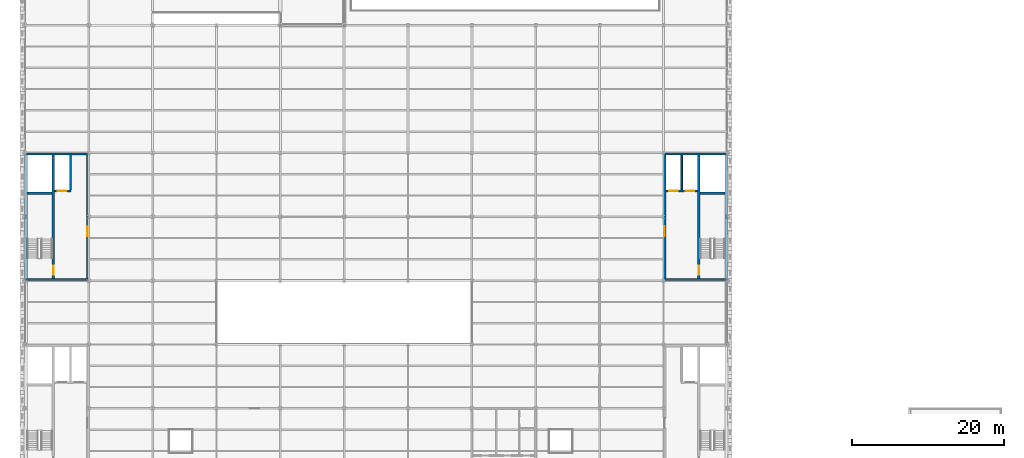
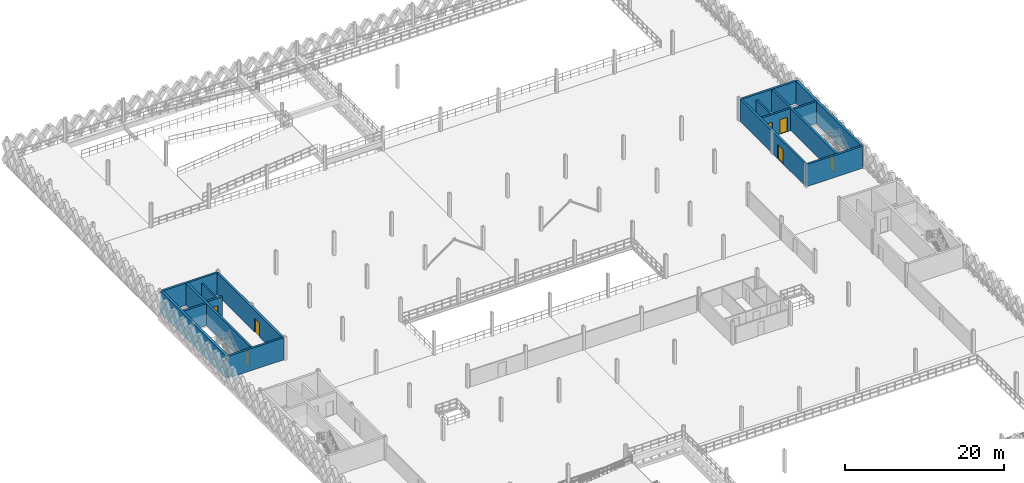
# One storey, part 51 of 62: 16 walls, 7 doors, 7 openings.
"""IFC4 building model written with IfcOpenShell, lengths in metres."""

from ifc_helpers import new_model, si_unit, direction, frame, frame_2d, origin, place, context, subcontext, project, spatial, rectangle, extrude, material, layer, layer_set, type_object, element, fill, save


model = new_model("IFC4")

# Units and contexts
model_context = context("Model", 3, precision=1e-05, world=origin(), true_north=direction((0.0, 1.0)))
body_context = subcontext(model_context, "Body", "Model", "MODEL_VIEW")
ifc_project = project(units=[si_unit("LENGTHUNIT", "METRE"), si_unit("AREAUNIT", "SQUARE_METRE"), si_unit("VOLUMEUNIT", "CUBIC_METRE"), si_unit("PLANEANGLEUNIT", "RADIAN"), si_unit("MASSUNIT", "GRAM", prefix="KILO"), si_unit("THERMODYNAMICTEMPERATUREUNIT", "KELVIN"), si_unit("POWERUNIT", "WATT")], contexts=[model_context])

# Site, building, storey
site_placement = place(None, origin())
site = spatial("IfcSite", under=ifc_project, at=site_placement, CompositionType="ELEMENT")
building_placement = place(site_placement, origin())
building = spatial("IfcBuilding", under=site, at=building_placement, Name="Tembeka Court Mobility Hub", CompositionType="ELEMENT")
storey_placement = place(building_placement, frame((0.0, 0.0, 16.199951171875)))
storey = spatial("IfcBuildingStorey", under=building, at=storey_placement, Name="L04", CompositionType="ELEMENT", Elevation=16.199951171875)

# Walls
ifc_material_1 = material(Name="Concrete C40/50", Category="concrete")
ifc_layer_1 = layer(ifc_material_1, 0.25)
ifc_layer_set_1 = layer_set([ifc_layer_1], Name="Concrete C40/50")
wall_type_1 = type_object("IfcWallType", Name="WL-IW01", PredefinedType="PARTITIONING", material=ifc_layer_set_1)
for number, where, z_axis, x_axis, name in (
    (1, (86.39990234375, 75.550048828125, 0.0), (0.0, 0.0, 1.0), (0.0, 1.0, 0.0), "Wall IW01 (IW-L04-0112)"),
    (2, (6.0, 75.550048828125, 0.0), (0.0, 0.0, 1.0), (0.0, 1.0, 0.0), "Wall IW01 (IW-L04-0176)"),
):
    element("IfcWall", number, at=place(storey_placement, frame(where, z_axis=z_axis, x_axis=x_axis)), inside=storey, type_object=wall_type_1, Name=name, PredefinedType="PARTITIONING", context=body_context, shape_type="SweptSolid", body=[
        extrude(rectangle(XDim=4.550048828125, YDim=0.25, at=frame_2d((2.27490234375, 0.0))), origin(), (0.0, 0.0, 1.0), 2.525146484375),
    ])
ifc_layer_2 = layer(ifc_material_1, 0.300048828125)
ifc_layer_set_2 = layer_set([ifc_layer_2], Name="Concrete C40/50")
wall_type_2 = type_object("IfcWallType", Name="WL-SW01", PredefinedType="SHEAR", material=ifc_layer_set_2)
for number, where, z_axis, x_axis, name in (
    (3, (84.1845703125, 63.75, 0.0), (0.0, 0.0, 1.0), (1.0, 0.0, 0.0), "Wall SW01 (IW-L04-0105)"),
    (4, (84.1845703125, 80.25, 0.0), (0.0, 0.0, 1.0), (1.0, 0.0, 0.0), "Wall SW01 (IW-L04-0106)"),
):
    element("IfcWall", number, at=place(storey_placement, frame(where, z_axis=z_axis, x_axis=x_axis)), inside=storey, type_object=wall_type_2, Name=name, PredefinedType="SHEAR", context=body_context, shape_type="SweptSolid", body=[
        extrude(rectangle(XDim=8.031005859375, YDim=0.300048828125, at=frame_2d((4.015625, 0.0))), origin(), (0.0, 0.0, 1.0), 3.380126953125),
    ])
wall_1_placement = place(storey_placement, frame((88.800048828125, 75.10009765625, 0.0), z_axis=(0.0, 0.0, 1.0), x_axis=(1.0, 0.0, 0.0)))
element("IfcWall", 5, at=wall_1_placement, inside=storey, type_object=wall_type_2, Name="Wall SW01 (IW-L04-0107)", PredefinedType="SHEAR", context=body_context, shape_type="SweptSolid", body=[
    extrude(rectangle(XDim=3.300048828125, YDim=0.300048828125, at=frame_2d((1.64990234375, 0.0))), origin(), (0.0, 0.0, 1.0), 3.380126953125),
])

# Wall, opening, door
wall_2_placement = place(storey_placement, frame((84.14990234375, 63.781982421875, 0.0), z_axis=(0.0, 0.0, 1.0), x_axis=(0.0, 1.0, 0.0)))
wall_2 = element("IfcWall", 6, at=wall_2_placement, inside=storey, type_object=wall_type_2, Name="Wall SW01 (IW-L04-0109)", PredefinedType="SHEAR", context=body_context, shape_type="SweptSolid", body=[
    extrude(rectangle(XDim=16.43603515625, YDim=0.300048828125, at=frame_2d((8.218017578125, 0.0))), origin(), (0.0, 0.0, 1.0), 3.380126953125),
])
opening_1_placement = place(wall_2_placement, frame((5.66796875, 0.0, 0.0)))
opening_1 = element("IfcOpeningElement", 7, at=opening_1_placement, cuts=wall_2, Name="Opening FD02", PredefinedType="OPENING", context=body_context, shape_type="SweptSolid", body=[
    extrude(rectangle(XDim=1.300048828125, YDim=2.199951171875, at=frame_2d((0.64990234375, 1.10009765625))), frame((0.0, 0.16015625, 0.0), z_axis=(0.0, -1.0, 0.0), x_axis=(1.0, 0.0, 0.0)), (0.0, 0.0, 1.0), 0.320068359375),
])
ifc_material_2 = material(Name="Galvanised steel fire/shutter doorset", Category="steel")
door_type_1 = type_object("IfcDoorType", Name="DR-FD02", OperationType="NOTDEFINED", PredefinedType="DOOR", material=ifc_material_2)
door_1_placement = place(opening_1_placement, origin())
door_1 = element("IfcDoor", 8, at=door_1_placement, inside=storey, type_object=door_type_1, Name="Door FD02-0055", OperationType="SINGLE_SWING_LEFT", OverallHeight=2.199951171875, OverallWidth=1.300048828125, PredefinedType="DOOR", context=body_context, shape_type="SweptSolid", body=[
    extrude(rectangle(XDim=1.300048828125, YDim=2.199951171875, at=frame_2d((0.64990234375, 1.10009765625))), frame((0.0, 0.02490234375, 0.0), z_axis=(0.0, -1.0, 0.0), x_axis=(1.0, 0.0, 0.0)), (0.0, 0.0, 1.0), 0.050048828125),
])
fill(opening_1, door_1)

wall_3_placement = place(storey_placement, frame((88.64990234375, 63.89990234375, 0.0), z_axis=(0.0, 0.0, 1.0), x_axis=(0.0, 1.0, 0.0)))
wall_3 = element("IfcWall", 9, at=wall_3_placement, inside=storey, type_object=wall_type_2, Name="Wall SW01 (IW-L04-0110)", PredefinedType="SHEAR", context=body_context, shape_type="SweptSolid", body=[
    extrude(rectangle(XDim=16.2001953125, YDim=0.300048828125, at=frame_2d((8.10009765625, 0.0))), origin(), (0.0, 0.0, 1.0), 3.380126953125),
])
opening_2_placement = place(wall_3_placement, frame((0.5, 0.0, 0.0)))
opening_2 = element("IfcOpeningElement", 10, at=opening_2_placement, cuts=wall_3, Name="Opening FD03", PredefinedType="OPENING", context=body_context, shape_type="SweptSolid", body=[
    extrude(rectangle(XDim=1.14990234375, YDim=2.14990234375, at=frame_2d((0.574951171875, 1.074951171875))), frame((0.0, 0.16015625, 0.0), z_axis=(0.0, -1.0, 0.0), x_axis=(1.0, 0.0, 0.0)), (0.0, 0.0, 1.0), 0.320068359375),
])
door_type_2 = type_object("IfcDoorType", Name="DR-FD03", OperationType="NOTDEFINED", PredefinedType="DOOR", material=ifc_material_2)
door_2_placement = place(opening_2_placement, origin())
door_2 = element("IfcDoor", 11, at=door_2_placement, inside=storey, type_object=door_type_2, Name="Door FD03-0056", OperationType="SINGLE_SWING_RIGHT", OverallHeight=2.14990234375, OverallWidth=1.14990234375, PredefinedType="DOOR", context=body_context, shape_type="SweptSolid", body=[
    extrude(rectangle(XDim=1.14990234375, YDim=2.14990234375, at=frame_2d((0.574951171875, 1.074951171875))), frame((0.0, 0.02490234375, 0.0), z_axis=(0.0, -1.0, 0.0), x_axis=(1.0, 0.0, 0.0)), (0.0, 0.0, 1.0), 0.050048828125),
])
fill(opening_2, door_2)

# Wall, openings, doors
wall_4_placement = place(storey_placement, frame((84.300048828125, 75.39990234375, 0.0), z_axis=(0.0, 0.0, 1.0), x_axis=(1.0, 0.0, 0.0)))
wall_4 = element("IfcWall", 12, at=wall_4_placement, inside=storey, type_object=wall_type_2, Name="Wall SW01 (IW-L04-0111)", PredefinedType="SHEAR", context=body_context, shape_type="SweptSolid", body=[
    extrude(rectangle(XDim=4.199951171875, YDim=0.300048828125, at=frame_2d((2.10009765625, 0.0))), origin(), (0.0, 0.0, 1.0), 3.380126953125),
])
opening_3_placement = place(wall_4_placement, frame((0.449951171875, 0.0, 0.0)))
opening_3 = element("IfcOpeningElement", 13, at=opening_3_placement, cuts=wall_4, Name="Opening LD01", PredefinedType="OPENING", context=body_context, shape_type="SweptSolid", body=[
    extrude(rectangle(XDim=1.10009765625, YDim=2.199951171875, at=frame_2d((0.550048828125, 1.10009765625))), frame((0.0, 0.16015625, 0.0), z_axis=(0.0, -1.0, 0.0), x_axis=(1.0, 0.0, 0.0)), (0.0, 0.0, 1.0), 0.320068359375),
])
opening_4_placement = place(wall_4_placement, frame((2.64990234375, 0.0, 0.0)))
opening_4 = element("IfcOpeningElement", 14, at=opening_4_placement, cuts=wall_4, Name="Opening LD01", PredefinedType="OPENING", context=body_context, shape_type="SweptSolid", body=[
    extrude(rectangle(XDim=1.10009765625, YDim=2.199951171875, at=frame_2d((0.550048828125, 1.10009765625))), frame((0.0, 0.16015625, 0.0), z_axis=(0.0, -1.0, 0.0), x_axis=(1.0, 0.0, 0.0)), (0.0, 0.0, 1.0), 0.320068359375),
])
door_type_3 = type_object("IfcDoorType", Name="DR-LD01", OperationType="SLIDING_TO_LEFT", PredefinedType="DOOR", material=ifc_material_2)
door_3_placement = place(opening_3_placement, origin())
door_3 = element("IfcDoor", 15, at=door_3_placement, inside=storey, type_object=door_type_3, Name="Lift LF02 landing door L04", OperationType="SLIDING_TO_LEFT", OverallHeight=2.199951171875, OverallWidth=1.10009765625, PredefinedType="DOOR", context=body_context, shape_type="SweptSolid", body=[
    extrude(rectangle(XDim=1.10009765625, YDim=2.199951171875, at=frame_2d((0.550048828125, 1.10009765625))), frame((0.0, 0.02490234375, 0.0), z_axis=(0.0, -1.0, 0.0), x_axis=(1.0, 0.0, 0.0)), (0.0, 0.0, 1.0), 0.050048828125),
])
fill(opening_3, door_3)
door_4_placement = place(opening_4_placement, origin())
door_4 = element("IfcDoor", 16, at=door_4_placement, inside=storey, type_object=door_type_3, Name="Lift LF04 landing door L04", OperationType="SLIDING_TO_LEFT", OverallHeight=2.199951171875, OverallWidth=1.10009765625, PredefinedType="DOOR", context=body_context, shape_type="SweptSolid", body=[
    extrude(rectangle(XDim=1.10009765625, YDim=2.199951171875, at=frame_2d((0.550048828125, 1.10009765625))), frame((0.0, 0.02490234375, 0.0), z_axis=(0.0, -1.0, 0.0), x_axis=(1.0, 0.0, 0.0)), (0.0, 0.0, 1.0), 0.050048828125),
])
fill(opening_4, door_4)

# Walls
for number, where, z_axis, x_axis, name in (
    (17, (0.1845703125, 63.75, 0.0), (0.0, 0.0, 1.0), (1.0, 0.0, 0.0), "Wall SW01 (IW-L04-0169)"),
    (18, (0.1845703125, 80.25, 0.0), (0.0, 0.0, 1.0), (1.0, 0.0, 0.0), "Wall SW01 (IW-L04-0170)"),
):
    element("IfcWall", number, at=place(storey_placement, frame(where, z_axis=z_axis, x_axis=x_axis)), inside=storey, type_object=wall_type_2, Name=name, PredefinedType="SHEAR", context=body_context, shape_type="SweptSolid", body=[
        extrude(rectangle(XDim=8.031005859375, YDim=0.300048828125, at=frame_2d((4.015625, 0.0))), origin(), (0.0, 0.0, 1.0), 3.380126953125),
    ])
wall_5_placement = place(storey_placement, frame((0.300048828125, 75.10009765625, 0.0), z_axis=(0.0, 0.0, 1.0), x_axis=(1.0, 0.0, 0.0)))
element("IfcWall", 19, at=wall_5_placement, inside=storey, type_object=wall_type_2, Name="Wall SW01 (IW-L04-0171)", PredefinedType="SHEAR", context=body_context, shape_type="SweptSolid", body=[
    extrude(rectangle(XDim=3.300048828125, YDim=0.300048828125, at=frame_2d((1.64990234375, 0.0))), origin(), (0.0, 0.0, 1.0), 3.380126953125),
])

# Wall, opening, door
wall_6_placement = place(storey_placement, frame((8.25, 63.781982421875, 0.0), z_axis=(0.0, 0.0, 1.0), x_axis=(0.0, 1.0, 0.0)))
wall_6 = element("IfcWall", 20, at=wall_6_placement, inside=storey, type_object=wall_type_2, Name="Wall SW01 (IW-L04-0173)", PredefinedType="SHEAR", context=body_context, shape_type="SweptSolid", body=[
    extrude(rectangle(XDim=16.43603515625, YDim=0.300048828125, at=frame_2d((8.218017578125, 0.0))), origin(), (0.0, 0.0, 1.0), 3.380126953125),
])
opening_5_placement = place(wall_6_placement, frame((5.66796875, 0.0, 0.0)))
opening_5 = element("IfcOpeningElement", 21, at=opening_5_placement, cuts=wall_6, Name="Opening FD01", PredefinedType="OPENING", context=body_context, shape_type="SweptSolid", body=[
    extrude(rectangle(XDim=1.25, YDim=2.14990234375, at=frame_2d((0.625, 1.074951171875))), frame((0.0, 0.16015625, 0.0), z_axis=(0.0, -1.0, 0.0), x_axis=(1.0, 0.0, 0.0)), (0.0, 0.0, 1.0), 0.320068359375),
])
door_type_4 = type_object("IfcDoorType", Name="DR-FD01", OperationType="NOTDEFINED", PredefinedType="DOOR", material=ifc_material_2)
door_5_placement = place(opening_5_placement, origin())
door_5 = element("IfcDoor", 22, at=door_5_placement, inside=storey, type_object=door_type_4, Name="Door FD01-0083", OperationType="SINGLE_SWING_LEFT", OverallHeight=2.14990234375, OverallWidth=1.25, PredefinedType="DOOR", context=body_context, shape_type="SweptSolid", body=[
    extrude(rectangle(XDim=1.25, YDim=2.14990234375, at=frame_2d((0.625, 1.074951171875))), frame((0.0, 0.02490234375, 0.0), z_axis=(0.0, -1.0, 0.0), x_axis=(1.0, 0.0, 0.0)), (0.0, 0.0, 1.0), 0.050048828125),
])
fill(opening_5, door_5)

wall_7_placement = place(storey_placement, frame((3.75, 63.89990234375, 0.0), z_axis=(0.0, 0.0, 1.0), x_axis=(0.0, 1.0, 0.0)))
wall_7 = element("IfcWall", 23, at=wall_7_placement, inside=storey, type_object=wall_type_2, Name="Wall SW01 (IW-L04-0174)", PredefinedType="SHEAR", context=body_context, shape_type="SweptSolid", body=[
    extrude(rectangle(XDim=16.2001953125, YDim=0.300048828125, at=frame_2d((8.10009765625, 0.0))), origin(), (0.0, 0.0, 1.0), 3.380126953125),
])
opening_6_placement = place(wall_7_placement, frame((0.5, 0.0, 0.0)))
opening_6 = element("IfcOpeningElement", 24, at=opening_6_placement, cuts=wall_7, Name="Opening FD03", PredefinedType="OPENING", context=body_context, shape_type="SweptSolid", body=[
    extrude(rectangle(XDim=1.14990234375, YDim=2.14990234375, at=frame_2d((0.574951171875, 1.074951171875))), frame((0.0, 0.16015625, 0.0), z_axis=(0.0, -1.0, 0.0), x_axis=(1.0, 0.0, 0.0)), (0.0, 0.0, 1.0), 0.320068359375),
])
door_6_placement = place(opening_6_placement, frame((1.14990234375, 0.0, 0.0), z_axis=(0.0, 0.0, 1.0), x_axis=(-1.0, 0.0, 0.0)))
door_6 = element("IfcDoor", 25, at=door_6_placement, inside=storey, type_object=door_type_2, Name="Door FD03-0084", OperationType="SINGLE_SWING_LEFT", OverallHeight=2.14990234375, OverallWidth=1.14990234375, PredefinedType="DOOR", context=body_context, shape_type="SweptSolid", body=[
    extrude(rectangle(XDim=1.14990234375, YDim=2.14990234375, at=frame_2d((0.574951171875, 1.074951171875))), frame((0.0, 0.02490234375, 0.0), z_axis=(0.0, -1.0, 0.0), x_axis=(1.0, 0.0, 0.0)), (0.0, 0.0, 1.0), 0.050048828125),
])
fill(opening_6, door_6)

wall_8_placement = place(storey_placement, frame((3.89990234375, 75.39990234375, 0.0), z_axis=(0.0, 0.0, 1.0), x_axis=(1.0, 0.0, 0.0)))
wall_8 = element("IfcWall", 26, at=wall_8_placement, inside=storey, type_object=wall_type_2, Name="Wall SW01 (IW-L04-0175)", PredefinedType="SHEAR", context=body_context, shape_type="SweptSolid", body=[
    extrude(rectangle(XDim=2.2001953125, YDim=0.300048828125, at=frame_2d((1.10009765625, 0.0))), origin(), (0.0, 0.0, 1.0), 3.380126953125),
])
opening_7_placement = place(wall_8_placement, frame((0.449951171875, 0.0, 0.0)))
opening_7 = element("IfcOpeningElement", 27, at=opening_7_placement, cuts=wall_8, Name="Opening LD01", PredefinedType="OPENING", context=body_context, shape_type="SweptSolid", body=[
    extrude(rectangle(XDim=1.10009765625, YDim=2.199951171875, at=frame_2d((0.550048828125, 1.10009765625))), frame((0.0, 0.16015625, 0.0), z_axis=(0.0, -1.0, 0.0), x_axis=(1.0, 0.0, 0.0)), (0.0, 0.0, 1.0), 0.320068359375),
])
door_7_placement = place(opening_7_placement, origin())
door_7 = element("IfcDoor", 28, at=door_7_placement, inside=storey, type_object=door_type_3, Name="Lift LF05 landing door L04", OperationType="SLIDING_TO_LEFT", OverallHeight=2.199951171875, OverallWidth=1.10009765625, PredefinedType="DOOR", context=body_context, shape_type="SweptSolid", body=[
    extrude(rectangle(XDim=1.10009765625, YDim=2.199951171875, at=frame_2d((0.550048828125, 1.10009765625))), frame((0.0, 0.02490234375, 0.0), z_axis=(0.0, -1.0, 0.0), x_axis=(1.0, 0.0, 0.0)), (0.0, 0.0, 1.0), 0.050048828125),
])
fill(opening_7, door_7)

# Walls
ifc_layer_3 = layer(ifc_material_1, 0.35009765625)
ifc_layer_set_3 = layer_set([ifc_layer_3], Name="Concrete C40/50")
wall_type_3 = type_object("IfcWallType", Name="WL-SW02", PredefinedType="SHEAR", material=ifc_layer_set_3)
for number, where, z_axis, x_axis, name in (
    (29, (92.25, 63.781982421875, 0.0), (0.0, 0.0, 1.0), (0.0, 1.0, 0.0), "Wall SW02 (IW-L04-0108)"),
    (30, (0.14990234375, 63.781982421875, 0.0), (0.0, 0.0, 1.0), (0.0, 1.0, 0.0), "Wall SW02 (IW-L04-0172)"),
):
    element("IfcWall", number, at=place(storey_placement, frame(where, z_axis=z_axis, x_axis=x_axis)), inside=storey, type_object=wall_type_3, Name=name, PredefinedType="SHEAR", context=body_context, shape_type="SweptSolid", body=[
        extrude(rectangle(XDim=16.43603515625, YDim=0.35009765625, at=frame_2d((8.218017578125, 0.0))), origin(), (0.0, 0.0, 1.0), 3.380126953125),
    ])

save(model, "model.ifc")
